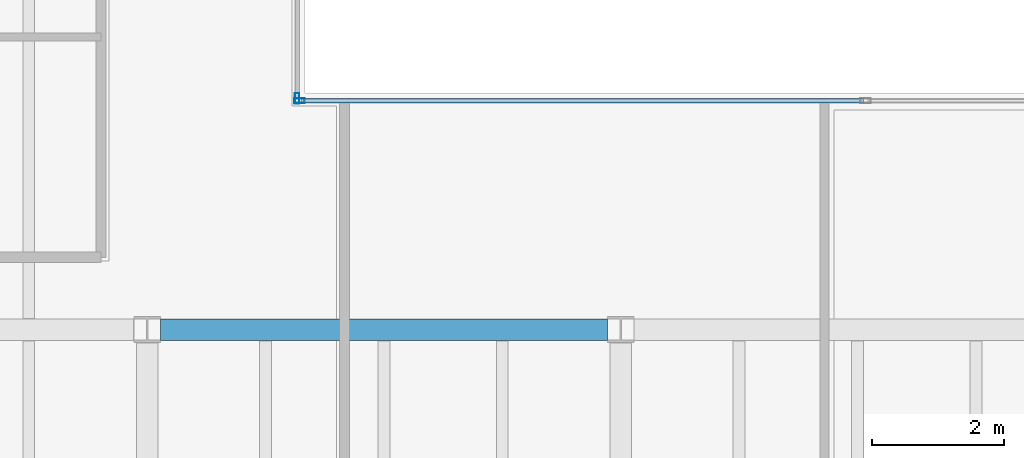
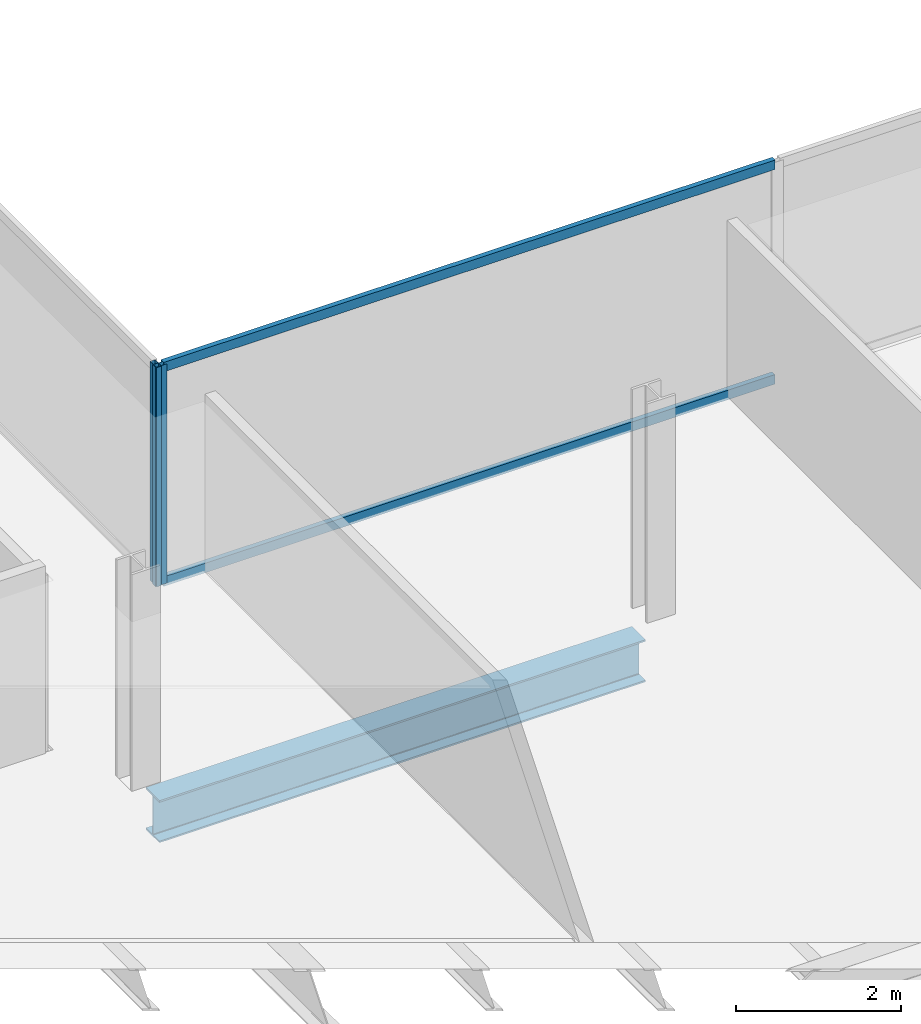
# One storey, part 8 of 23: 4 members, 1 beam, 2 elements without a shape of their own.
"""IFC4 building model written with IfcOpenShell, lengths in metres."""

from ifc_helpers import new_model, si_unit, direction, frame, origin, origin_2d, place, context, subcontext, project, spatial, hollow_rectangle, i_section, extrude, material, material_profile, profile_set, type_object, element, aggregate, save


model = new_model("IFC4")

# Units and contexts
model_context = context("Model", 3, precision=1e-05, world=origin(), true_north=direction((0.0, 1.0)))
body_context = subcontext(model_context, "Body", "Model", "MODEL_VIEW")
ifc_project = project(units=[si_unit("LENGTHUNIT", "METRE"), si_unit("AREAUNIT", "SQUARE_METRE"), si_unit("VOLUMEUNIT", "CUBIC_METRE"), si_unit("PLANEANGLEUNIT", "RADIAN"), si_unit("MASSUNIT", "GRAM", prefix="KILO")], contexts=[model_context])

# Site, building, storey
site_placement = place(None, origin())
site = spatial("IfcSite", under=ifc_project, at=site_placement, CompositionType="ELEMENT")
building_placement = place(site_placement, origin())
building = spatial("IfcBuilding", under=site, at=building_placement, Name="Cobrela Telecom Tower", CompositionType="ELEMENT")
storey_placement = place(building_placement, frame((0.0, 0.0, 173.25)))
storey = spatial("IfcBuildingStorey", under=building, at=storey_placement, Name="L43", CompositionType="ELEMENT", Elevation=173.25)

# Beam
ifc_material_1 = material(Name="Steel ASTM A992 Grade 50", Category="steel")
ifc_material_profile_1 = material_profile(ifc_material_1, i_section(OverallWidth=0.327880859375, OverallDepth=0.6220703125, WebThickness=0.015380859375, FlangeThickness=0.0244140625, FilletRadius=0.014892578125, at=origin_2d()), Name="W24X131")
ifc_profile_set_1 = profile_set([ifc_material_profile_1], Name="Steel ASTM A992 Grade 50")
beam_type = type_object("IfcBeamType", Name="BM-GIRD-06", PredefinedType="USERDEFINED", material=ifc_profile_set_1)
beam_placement = place(storey_placement, frame((21.804443359375, 21.60009765625, -0.571044921875), z_axis=(1.0, 0.0, 0.0), x_axis=(0.0, 1.0, 0.0)))
element("IfcBeam", 1, at=beam_placement, inside=storey, type_object=beam_type, Name="L43 Primary Girder X16", ObjectType="GIRDER", PredefinedType="USERDEFINED", context=body_context, shape_type="SweptSolid", body=[
    extrude(i_section(OverallWidth=0.327880859375, OverallDepth=0.6220703125, WebThickness=0.015380859375, FlangeThickness=0.0244140625, FilletRadius=0.014892578125, at=origin_2d()), origin(), (0.0, 0.0, 1.0), 6.791015625),
])

# Curtain wall, member
ifc_material_2 = material(Name="Anodized Bronze Aluminium 6063-T6", Category="aluminium")
curtain_wall_type = type_object("IfcCurtainWallType", Name="CW-SYS-OFF-LO", PredefinedType="USERDEFINED", material=ifc_material_2)
curtain_wall_1_placement = place(storey_placement, origin())
curtain_wall_1 = element("IfcCurtainWall", 2, at=curtain_wall_1_placement, inside=storey, type_object=curtain_wall_type, Name="L43 Unitised Bronze Curtain Wall 10", ObjectType="UNITISED CURTAIN WALL", PredefinedType="USERDEFINED")
ifc_material_profile_2 = material_profile(ifc_material_2, hollow_rectangle(XDim=0.070068359375, YDim=0.159912109375, WallThickness=0.00390625, at=origin_2d()), Name="ALU 70x160x4")
ifc_profile_set_2 = profile_set([ifc_material_profile_2], Name="Anodized Bronze Aluminium 6063-T6")
member_type_1 = type_object("IfcMemberType", Name="CW-SYS-OFF-LO-MUL", PredefinedType="MULLION", material=ifc_profile_set_2)
member_1_placement = place(storey_placement, frame((23.8798828125, 25.114990234375, 0.0), z_axis=(0.0, 0.0, 1.0), x_axis=(1.0, 0.0, 0.0)))
member_1 = element("IfcMember", 3, at=member_1_placement, type_object=member_type_1, Name="CW-OFF-LO mullion 3", PredefinedType="MULLION", context=body_context, shape_type="SweptSolid", body=[
    extrude(hollow_rectangle(XDim=0.070068359375, YDim=0.159912109375, WallThickness=0.00390625, at=origin_2d()), origin(), (0.0, 0.0, 1.0), 3.239990234375),
])
aggregate(curtain_wall_1, [member_1])

# Curtain wall, members
curtain_wall_2_placement = place(storey_placement, origin())
curtain_wall_2 = element("IfcCurtainWall", 4, at=curtain_wall_2_placement, inside=storey, type_object=curtain_wall_type, Name="L43 Unitised Bronze Curtain Wall 11", ObjectType="UNITISED CURTAIN WALL", PredefinedType="USERDEFINED")
member_2_placement = place(storey_placement, frame((23.9150390625, 25.080078125, 0.0), z_axis=(0.0, 0.0, 1.0), x_axis=(0.0, 1.0, 0.0)))
member_2 = element("IfcMember", 5, at=member_2_placement, type_object=member_type_1, Name="CW-OFF-LO mullion 1", PredefinedType="MULLION", context=body_context, shape_type="SweptSolid", body=[
    extrude(hollow_rectangle(XDim=0.070068359375, YDim=0.159912109375, WallThickness=0.00390625, at=origin_2d()), origin(), (0.0, 0.0, 1.0), 3.239990234375),
])
ifc_material_profile_3 = material_profile(ifc_material_2, hollow_rectangle(XDim=0.070068359375, YDim=0.139892578125, WallThickness=0.00390625, at=origin_2d()), Name="ALU 70x140x4")
ifc_profile_set_3 = profile_set([ifc_material_profile_3], Name="Anodized Bronze Aluminium 6063-T6")
member_type_2 = type_object("IfcMemberType", Name="CW-SYS-OFF-LO-TRN", PredefinedType="USERDEFINED", material=ifc_profile_set_3)
member_3_placement = place(storey_placement, frame((23.949951171875, 25.080078125, 0.034912109375), z_axis=(1.0, 0.0, 0.0), x_axis=(0.0, 1.0, 0.0)))
member_3 = element("IfcMember", 6, at=member_3_placement, type_object=member_type_2, Name="CW-OFF-LO transom 1.1", ObjectType="TRANSOM", PredefinedType="USERDEFINED", context=body_context, shape_type="SweptSolid", body=[
    extrude(hollow_rectangle(XDim=0.070068359375, YDim=0.139892578125, WallThickness=0.00390625, at=origin_2d()), origin(), (0.0, 0.0, 1.0), 8.5400390625),
])
member_4_placement = place(storey_placement, frame((23.949951171875, 25.080078125, 3.205078125), z_axis=(1.0, 0.0, 0.0), x_axis=(0.0, 1.0, 0.0)))
member_4 = element("IfcMember", 7, at=member_4_placement, type_object=member_type_2, Name="CW-OFF-LO transom 1.2", ObjectType="TRANSOM", PredefinedType="USERDEFINED", context=body_context, shape_type="SweptSolid", body=[
    extrude(hollow_rectangle(XDim=0.070068359375, YDim=0.139892578125, WallThickness=0.00390625, at=origin_2d()), origin(), (0.0, 0.0, 1.0), 8.5400390625),
])
aggregate(curtain_wall_2, [member_2, member_3, member_4])

save(model, "model.ifc")
